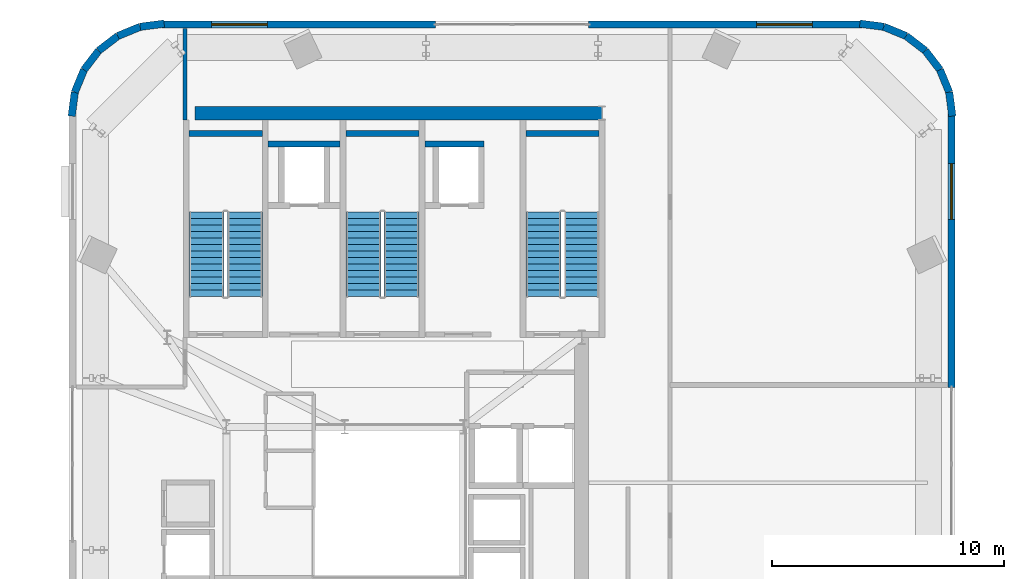
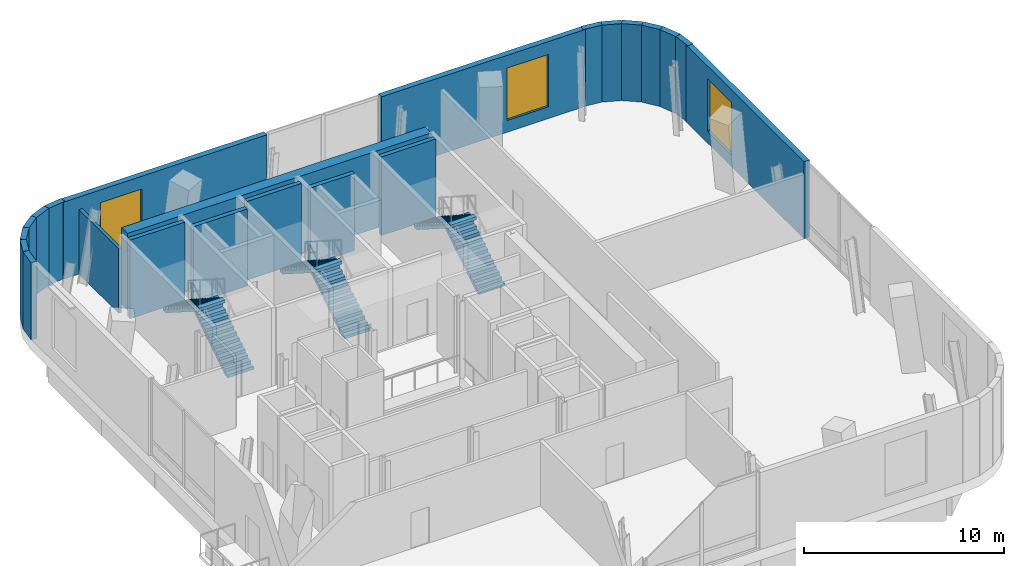
# One storey, part 8 of 11: 22 walls, 6 stair flights, 3 windows, 3 openings, 3 elements without a shape of their own.
"""IFC4 building model written with IfcOpenShell, lengths in metres."""

from ifc_helpers import new_model, si_unit, direction, frame, frame_2d, origin, place, context, subcontext, project, spatial, polyline, rectangle, outline, extrude, source, transform, mapped, material, layer, layer_set, type_object, element, fill, aggregate, save


model = new_model("IFC4")

# Units and contexts
model_context = context("Model", 3, precision=1e-05, world=origin(), true_north=direction((0.0, 1.0)))
body_context = subcontext(model_context, "Body", "Model", "MODEL_VIEW")
ifc_project = project(units=[si_unit("LENGTHUNIT", "METRE"), si_unit("AREAUNIT", "SQUARE_METRE"), si_unit("VOLUMEUNIT", "CUBIC_METRE"), si_unit("PLANEANGLEUNIT", "RADIAN"), si_unit("MASSUNIT", "GRAM", prefix="KILO")], contexts=[model_context])

# Site, building, storey
site_placement = place(None, origin())
site = spatial("IfcSite", under=ifc_project, at=site_placement, CompositionType="ELEMENT")
building_placement = place(site_placement, origin())
building = spatial("IfcBuilding", under=site, at=building_placement, Name="Vardaveli Station Tower", CompositionType="ELEMENT")
storey_placement = place(building_placement, frame((0.0, 0.0, 286.14990234375)))
storey = spatial("IfcBuildingStorey", under=building, at=storey_placement, Name="L73", CompositionType="ELEMENT", Elevation=286.14990234375)

# Wall
ifc_material_1 = material(Name="Concrete C50/60", Category="concrete")
ifc_layer_1 = layer(ifc_material_1, 0.60009765625, Name="Concrete C50/60")
ifc_layer_set_1 = layer_set([ifc_layer_1], Name="Concrete C50/60")
wall_type_1 = type_object("IfcWallType", Name="WAL-CORE-600", PredefinedType="SHEAR", material=ifc_layer_set_1)
shared_shape_1 = source(origin(), body_context, "Body", "SweptSolid", [
    extrude(rectangle(XDim=17.52001953125, YDim=0.60009765625, at=frame_2d((8.760009765625, 0.0))), origin(), (0.0, 0.0, 1.0), 4.7001953125),
])
wall_1_placement = place(storey_placement, frame((29.85009765625, 40.300048828125, 0.0), z_axis=(0.0, 0.0, 1.0), x_axis=(1.0, 0.0, 0.0)))
element("IfcWall", 1, at=wall_1_placement, inside=storey, type_object=wall_type_1, Name="SW-L73-NORTH", PredefinedType="SHEAR", context=body_context, shape_type="MappedRepresentation", body=[
    mapped(shared_shape_1, transform((0.0, 0.0, 0.0), scale=1.0)),
])

# Wall, opening, window
ifc_material_2 = material(Name="Precast concrete C45/55", Category="concrete")
ifc_layer_2 = layer(ifc_material_2, 0.320068359375, Name="Precast concrete C45/55")
ifc_layer_set_2 = layer_set([ifc_layer_2], Name="Precast concrete C45/55")
wall_type_2 = type_object("IfcWallType", Name="WAL-EXT-STONE-320", PredefinedType="SOLIDWALL", material=ifc_layer_set_2)
shared_shape_2 = source(origin(), body_context, "Body", "SweptSolid", [
    extrude(rectangle(XDim=11.77294921875, YDim=0.320068359375, at=frame_2d((5.886474609375, 0.0))), origin(), (0.0, 0.0, 1.0), 4.7001953125),
])
wall_2_placement = place(storey_placement, frame((58.572998046875, 44.1201171875, 0.0), z_axis=(0.0, 0.0, 1.0), x_axis=(-1.0, 0.0, 0.0)))
wall_2 = element("IfcWall", 2, at=wall_2_placement, inside=storey, type_object=wall_type_2, Name="EW-L73-N1", PredefinedType="SOLIDWALL", context=body_context, shape_type="MappedRepresentation", body=[
    mapped(shared_shape_2, transform((0.0, 0.0, 0.0), scale=1.0)),
])
shared_shape_3 = source(origin(), body_context, "Body", "SweptSolid", [
    extrude(rectangle(XDim=2.39990234375, YDim=3.199951171875, at=frame_2d((1.199951171875, 1.60009765625))), frame((0.0, 0.169921875, 0.0), z_axis=(0.0, -1.0, 0.0), x_axis=(1.0, 0.0, 0.0)), (0.0, 0.0, 1.0), 0.340087890625),
])
opening_1_placement = place(wall_2_placement, frame((2.1396484375, 0.0, 0.719970703125)))
opening_1 = element("IfcOpeningElement", 3, at=opening_1_placement, cuts=wall_2, Name="Opening W-06", PredefinedType="OPENING", context=body_context, shape_type="MappedRepresentation", body=[
    mapped(shared_shape_3, transform((0.0, 0.0, 0.0), scale=1.0)),
])
ifc_material_3 = material(Name="Low-iron tempered belvedere glass", Category="glass")
window_type = type_object("IfcWindowType", Name="WIN-OBS-2400x3200", PartitioningType="SINGLE_PANEL", PredefinedType="WINDOW", material=ifc_material_3)
shared_shape_4 = source(origin(), body_context, "Body", "SweptSolid", [
    extrude(rectangle(XDim=2.39990234375, YDim=3.199951171875, at=frame_2d((1.199951171875, 1.60009765625))), frame((0.0, 0.030029296875, 0.0), z_axis=(0.0, -1.0, 0.0), x_axis=(1.0, 0.0, 0.0)), (0.0, 0.0, 1.0), 0.06005859375),
])
window_1_placement = place(opening_1_placement, origin())
window_1 = element("IfcWindow", 4, at=window_1_placement, inside=storey, type_object=window_type, Name="WN-L73-N1", OverallHeight=3.199951171875, OverallWidth=2.39990234375, PartitioningType="SINGLE_PANEL", PredefinedType="WINDOW", context=body_context, shape_type="MappedRepresentation", body=[
    mapped(shared_shape_4, transform((0.0, 0.0, 0.0), scale=1.0)),
])
fill(opening_1, window_1)

wall_3_placement = place(storey_placement, frame((40.199951171875, 44.1201171875, 0.0), z_axis=(0.0, 0.0, 1.0), x_axis=(-1.0, 0.0, 0.0)))
wall_3 = element("IfcWall", 5, at=wall_3_placement, inside=storey, type_object=wall_type_2, Name="EW-L73-N2", PredefinedType="SOLIDWALL", context=body_context, shape_type="MappedRepresentation", body=[
    mapped(shared_shape_2, transform((0.0, 0.0, 0.0), scale=1.0)),
])
opening_2_placement = place(wall_3_placement, frame((7.2333984375, 0.0, 0.719970703125)))
opening_2 = element("IfcOpeningElement", 6, at=opening_2_placement, cuts=wall_3, Name="Opening W-06", PredefinedType="OPENING", context=body_context, shape_type="MappedRepresentation", body=[
    mapped(shared_shape_3, transform((0.0, 0.0, 0.0), scale=1.0)),
])
window_2_placement = place(opening_2_placement, origin())
window_2 = element("IfcWindow", 7, at=window_2_placement, inside=storey, type_object=window_type, Name="WN-L73-N2", OverallHeight=3.199951171875, OverallWidth=2.39990234375, PartitioningType="SINGLE_PANEL", PredefinedType="WINDOW", context=body_context, shape_type="MappedRepresentation", body=[
    mapped(shared_shape_4, transform((0.0, 0.0, 0.0), scale=1.0)),
])
fill(opening_2, window_2)

wall_4_placement = place(storey_placement, frame((62.419921875, 28.5, 0.0), z_axis=(0.0, 0.0, 1.0), x_axis=(0.0, 1.0, 0.0)))
wall_4 = element("IfcWall", 8, at=wall_4_placement, inside=storey, type_object=wall_type_2, Name="EW-L73-E2", PredefinedType="SOLIDWALL", context=body_context, shape_type="MappedRepresentation", body=[
    mapped(shared_shape_2, transform((0.0, 0.0, 0.0), scale=1.0)),
])
opening_3_placement = place(wall_4_placement, frame((7.2333984375, 0.0, 0.719970703125)))
opening_3 = element("IfcOpeningElement", 9, at=opening_3_placement, cuts=wall_4, Name="Opening W-06", PredefinedType="OPENING", context=body_context, shape_type="MappedRepresentation", body=[
    mapped(shared_shape_3, transform((0.0, 0.0, 0.0), scale=1.0)),
])
window_3_placement = place(opening_3_placement, origin())
window_3 = element("IfcWindow", 10, at=window_3_placement, inside=storey, type_object=window_type, Name="WN-L73-E2", OverallHeight=3.199951171875, OverallWidth=2.39990234375, PartitioningType="SINGLE_PANEL", PredefinedType="WINDOW", context=body_context, shape_type="MappedRepresentation", body=[
    mapped(shared_shape_4, transform((0.0, 0.0, 0.0), scale=1.0)),
])
fill(opening_3, window_3)

# Walls
shared_shape_5 = source(origin(), body_context, "Body", "SweptSolid", [
    extrude(rectangle(XDim=1.041015625, YDim=0.320068359375, at=frame_2d((0.5205078125, 0.0))), origin(), (0.0, 0.0, 1.0), 4.7001953125),
])
for number, where, z_axis, x_axis, name in (
    (11, (59.50634765625, 44.021484375, 0.0), (0.0, 0.0, 1.0), (-0.991798018025, 0.12781506735, 0.0), "EW-L73-CR3-6"),
    (12, (28.526123046875, 44.154541015625, 0.0), (0.0, 0.0, 1.0), (-0.991798018025, -0.12781506735, 0.0), "EW-L73-CR4-1"),
):
    element("IfcWall", number, at=place(storey_placement, frame(where, z_axis=z_axis, x_axis=x_axis)), inside=storey, type_object=wall_type_2, Name=name, PredefinedType="SOLIDWALL", context=body_context, shape_type="MappedRepresentation", body=[
        mapped(shared_shape_5, transform((0.0, 0.0, 0.0), scale=1.0)),
    ])
shared_shape_6 = source(origin(), body_context, "Body", "SweptSolid", [
    extrude(rectangle(XDim=1.0400390625, YDim=0.320068359375, at=frame_2d((0.52001953125, 0.0))), origin(), (0.0, 0.0, 1.0), 4.7001953125),
])
for number, where, z_axis, x_axis, name in (
    (13, (62.321533203125, 41.20654296875, 0.0), (0.0, 0.0, 1.0), (-0.380761612086, 0.92467323675, 0.0), "EW-L73-CR3-2"),
    (14, (60.468017578125, 43.62548828125, 0.0), (0.0, 0.0, 1.0), (-0.92467323675, 0.380761612086, 0.0), "EW-L73-CR3-5"),
    (15, (27.49365234375, 44.021484375, 0.0), (0.0, 0.0, 1.0), (-0.92467323675, -0.380761612086, 0.0), "EW-L73-CR4-2"),
    (16, (25.074462890625, 42.168212890625, 0.0), (0.0, 0.0, 1.0), (-0.380761612086, -0.92467323675, 0.0), "EW-L73-CR4-5"),
):
    element("IfcWall", number, at=place(storey_placement, frame(where, z_axis=z_axis, x_axis=x_axis)), inside=storey, type_object=wall_type_2, Name=name, PredefinedType="SOLIDWALL", context=body_context, shape_type="MappedRepresentation", body=[
        mapped(shared_shape_6, transform((0.0, 0.0, 0.0), scale=1.0)),
    ])
shared_shape_7 = source(origin(), body_context, "Body", "SweptSolid", [
    extrude(rectangle(XDim=1.03955078125, YDim=0.320068359375, at=frame_2d((0.519775390625, 0.0))), origin(), (0.0, 0.0, 1.0), 4.7001953125),
])
for number, where, z_axis, x_axis, name in (
    (17, (61.293212890625, 42.9931640625, 0.0), (0.0, 0.0, 1.0), (-0.793757528074, 0.608234318849, 0.0), "EW-L73-CR3-4"),
    (18, (26.531982421875, 43.62548828125, 0.0), (0.0, 0.0, 1.0), (-0.793757528074, -0.608234318849, 0.0), "EW-L73-CR4-3"),
):
    element("IfcWall", number, at=place(storey_placement, frame(where, z_axis=z_axis, x_axis=x_axis)), inside=storey, type_object=wall_type_2, Name=name, PredefinedType="SOLIDWALL", context=body_context, shape_type="MappedRepresentation", body=[
        mapped(shared_shape_7, transform((0.0, 0.0, 0.0), scale=1.0)),
    ])
shared_shape_8 = source(origin(), body_context, "Body", "SweptSolid", [
    extrude(rectangle(XDim=1.041259765625, YDim=0.320068359375, at=frame_2d((0.5205078125, 0.0))), origin(), (0.0, 0.0, 1.0), 4.7001953125),
])
for number, where, z_axis, x_axis, name in (
    (19, (62.454345703125, 40.173828125, 0.0), (0.0, 0.0, 1.0), (-0.127554694262, 0.991831538101, 0.0), "EW-L73-CR3-1"),
    (20, (24.678466796875, 41.20654296875, 0.0), (0.0, 0.0, 1.0), (-0.127554694262, -0.991831538101, 0.0), "EW-L73-CR4-6"),
):
    element("IfcWall", number, at=place(storey_placement, frame(where, z_axis=z_axis, x_axis=x_axis)), inside=storey, type_object=wall_type_2, Name=name, PredefinedType="SOLIDWALL", context=body_context, shape_type="MappedRepresentation", body=[
        mapped(shared_shape_8, transform((0.0, 0.0, 0.0), scale=1.0)),
    ])
shared_shape_9 = source(origin(), body_context, "Body", "SweptSolid", [
    extrude(rectangle(XDim=1.039306640625, YDim=0.320068359375, at=frame_2d((0.51953125, 0.0))), origin(), (0.0, 0.0, 1.0), 4.7001953125),
])
for number, where, z_axis, x_axis, name in (
    (21, (61.925537109375, 42.168212890625, 0.0), (0.0, 0.0, 1.0), (-0.608347712078, 0.79367062514, 0.0), "EW-L73-CR3-3"),
    (22, (25.706787109375, 42.9931640625, 0.0), (0.0, 0.0, 1.0), (-0.608347712078, -0.79367062514, 0.0), "EW-L73-CR4-4"),
):
    element("IfcWall", number, at=place(storey_placement, frame(where, z_axis=z_axis, x_axis=x_axis)), inside=storey, type_object=wall_type_2, Name=name, PredefinedType="SOLIDWALL", context=body_context, shape_type="MappedRepresentation", body=[
        mapped(shared_shape_9, transform((0.0, 0.0, 0.0), scale=1.0)),
    ])
ifc_material_4 = material(Name="Concrete C40/50", Category="concrete")
ifc_layer_3 = layer(ifc_material_4, 0.25, Name="Concrete C40/50")
ifc_layer_set_3 = layer_set([ifc_layer_3], Name="Concrete C40/50")
wall_type_3 = type_object("IfcWallType", Name="WAL-SHAFT-250", PredefinedType="SOLIDWALL", material=ifc_layer_set_3)
shared_shape_10 = source(origin(), body_context, "Body", "SweptSolid", [
    extrude(rectangle(XDim=3.14990234375, YDim=0.25, at=frame_2d((1.574951171875, 0.0))), origin(), (0.0, 0.0, 1.0), 4.800048828125),
])
for number, where, z_axis, x_axis, name in (
    (23, (29.60009765625, 39.425048828125, 0.0), (0.0, 0.0, 1.0), (1.0, 0.0, 0.0), "W-L73-ST-1N"),
    (24, (36.35009765625, 39.425048828125, 0.0), (0.0, 0.0, 1.0), (1.0, 0.0, 0.0), "W-L73-ST-2N"),
    (25, (44.10009765625, 39.425048828125, 0.0), (0.0, 0.0, 1.0), (1.0, 0.0, 0.0), "W-L73-ST-3N"),
):
    element("IfcWall", number, at=place(storey_placement, frame(where, z_axis=z_axis, x_axis=x_axis)), inside=storey, type_object=wall_type_3, Name=name, PredefinedType="SOLIDWALL", context=body_context, shape_type="MappedRepresentation", body=[
        mapped(shared_shape_10, transform((0.0, 0.0, 0.0), scale=1.0)),
    ])
shared_shape_11 = source(origin(), body_context, "Body", "SweptSolid", [
    extrude(rectangle(XDim=3.10009765625, YDim=0.25, at=frame_2d((1.550048828125, 0.0))), origin(), (0.0, 0.0, 1.0), 4.7001953125),
])
wall_5_placement = place(storey_placement, frame((33.0, 38.97509765625, 0.0), z_axis=(0.0, 0.0, 1.0), x_axis=(1.0, 0.0, 0.0)))
element("IfcWall", 26, at=wall_5_placement, inside=storey, type_object=wall_type_3, Name="SHW-FFL-01-L73-N", PredefinedType="SOLIDWALL", context=body_context, shape_type="MappedRepresentation", body=[
    mapped(shared_shape_11, transform((0.0, 0.0, 0.0), scale=1.0)),
])
shared_shape_12 = source(origin(), body_context, "Body", "SweptSolid", [
    extrude(rectangle(XDim=2.550048828125, YDim=0.25, at=frame_2d((1.27490234375, 0.0))), origin(), (0.0, 0.0, 1.0), 4.7001953125),
])
wall_6_placement = place(storey_placement, frame((39.75, 38.97509765625, 0.0), z_axis=(0.0, 0.0, 1.0), x_axis=(1.0, 0.0, 0.0)))
element("IfcWall", 27, at=wall_6_placement, inside=storey, type_object=wall_type_3, Name="SHW-FFL-02-L73-N", PredefinedType="SOLIDWALL", context=body_context, shape_type="MappedRepresentation", body=[
    mapped(shared_shape_12, transform((0.0, 0.0, 0.0), scale=1.0)),
])
ifc_material_5 = material(Name="Fire-rated gypsum stud partition")
ifc_layer_4 = layer(ifc_material_5, 0.179931640625, Name="Fire-rated gypsum stud partition")
ifc_layer_set_4 = layer_set([ifc_layer_4], Name="Fire-rated gypsum stud partition")
wall_type_4 = type_object("IfcWallType", Name="WAL-CORR-180", PredefinedType="PARTITIONING", material=ifc_layer_set_4)
shared_shape_13 = source(origin(), body_context, "Body", "SweptSolid", [
    extrude(rectangle(XDim=3.9580078125, YDim=0.179931640625, at=frame_2d((1.97900390625, 0.0))), origin(), (0.0, 0.0, 1.0), 3.942138671875),
])
wall_7_placement = place(storey_placement, frame((29.419921875, 40.0, 0.0), z_axis=(0.0, 0.0, 1.0), x_axis=(0.0, 1.0, 0.0)))
element("IfcWall", 28, at=wall_7_placement, inside=storey, type_object=wall_type_4, Name="W-L73-OBNW-E-P2", PredefinedType="PARTITIONING", context=body_context, shape_type="MappedRepresentation", body=[
    mapped(shared_shape_13, transform((0.0, 0.0, 0.0), scale=1.0)),
])

# Stair, stair flights
stair_type = type_object("IfcStairType", Name="STR-CORE-1500", PredefinedType="HALF_TURN_STAIR", material=ifc_material_4)
stair_1_placement = place(storey_placement, origin())
stair_1 = element("IfcStair", 29, at=stair_1_placement, inside=storey, type_object=stair_type, Name="L73 ST-1", PredefinedType="HALF_TURN_STAIR")
stair_flight_type = type_object("IfcStairFlightType", Name="SFL-CORE-1500", PredefinedType="STRAIGHT", material=ifc_material_4)
shared_shape_14 = source(origin(), body_context, "Body", "SweptSolid", [
    extrude(outline(polyline([(0.0, 0.0), (0.0, 0.178466796875), (0.280029296875, 0.178466796875), (0.280029296875, 0.357177734375), (0.56005859375, 0.357177734375), (0.56005859375, 0.53564453125), (0.840087890625, 0.53564453125), (0.840087890625, 0.71435546875), (1.1201171875, 0.71435546875), (1.1201171875, 0.892822265625), (1.39990234375, 0.892822265625), (1.39990234375, 1.071533203125), (1.679931640625, 1.071533203125), (1.679931640625, 1.25), (1.9599609375, 1.25), (1.9599609375, 1.428466796875), (2.239990234375, 1.428466796875), (2.239990234375, 1.607177734375), (2.52001953125, 1.607177734375), (2.52001953125, 1.78564453125), (2.800048828125, 1.78564453125), (2.800048828125, 1.96435546875), (3.080078125, 1.96435546875), (3.080078125, 2.142822265625), (3.360107421875, 2.142822265625), (3.360107421875, 2.321533203125), (3.639892578125, 2.321533203125), (3.639892578125, 2.5), (3.639892578125, 2.1435546875), (0.27880859375, 0.0), (0.0, 0.0)])), frame((0.0, 0.75, 0.0), z_axis=(0.0, -1.0, 0.0), x_axis=(1.0, 0.0, 0.0)), (0.0, 0.0, 1.0), 1.5),
])
stair_flight_1_placement = place(storey_placement, frame((32.0, 32.39990234375, 0.0), z_axis=(0.0, 0.0, 1.0), x_axis=(0.0, 1.0, 0.0)))
stair_flight_1 = element("IfcStairFlight", 30, at=stair_flight_1_placement, type_object=stair_flight_type, Name="ST-1 flight 1", NumberOfRisers=14, NumberOfTreads=13, PredefinedType="STRAIGHT", RiserHeight=0.178571429, TreadLength=0.28, context=body_context, shape_type="MappedRepresentation", body=[
    mapped(shared_shape_14, transform((0.0, 0.0, 0.0), scale=1.0)),
])
stair_flight_2_placement = place(storey_placement, frame((30.35009765625, 36.0400390625, 2.5), z_axis=(0.0, 0.0, 1.0), x_axis=(0.0, -1.0, 0.0)))
stair_flight_2 = element("IfcStairFlight", 31, at=stair_flight_2_placement, type_object=stair_flight_type, Name="ST-1 flight 2", NumberOfRisers=14, NumberOfTreads=13, PredefinedType="STRAIGHT", RiserHeight=0.178571429, TreadLength=0.28, context=body_context, shape_type="MappedRepresentation", body=[
    mapped(shared_shape_14, transform((0.0, 0.0, 0.0), scale=1.0)),
])
aggregate(stair_1, [stair_flight_1, stair_flight_2])

stair_2_placement = place(storey_placement, origin())
stair_2 = element("IfcStair", 32, at=stair_2_placement, inside=storey, type_object=stair_type, Name="L73 ST-2", PredefinedType="HALF_TURN_STAIR")
stair_flight_3_placement = place(storey_placement, frame((38.75, 32.39990234375, 0.0), z_axis=(0.0, 0.0, 1.0), x_axis=(0.0, 1.0, 0.0)))
stair_flight_3 = element("IfcStairFlight", 33, at=stair_flight_3_placement, type_object=stair_flight_type, Name="ST-2 flight 1", NumberOfRisers=14, NumberOfTreads=13, PredefinedType="STRAIGHT", RiserHeight=0.178571429, TreadLength=0.28, context=body_context, shape_type="MappedRepresentation", body=[
    mapped(shared_shape_14, transform((0.0, 0.0, 0.0), scale=1.0)),
])
stair_flight_4_placement = place(storey_placement, frame((37.10009765625, 36.0400390625, 2.5), z_axis=(0.0, 0.0, 1.0), x_axis=(0.0, -1.0, 0.0)))
stair_flight_4 = element("IfcStairFlight", 34, at=stair_flight_4_placement, type_object=stair_flight_type, Name="ST-2 flight 2", NumberOfRisers=14, NumberOfTreads=13, PredefinedType="STRAIGHT", RiserHeight=0.178571429, TreadLength=0.28, context=body_context, shape_type="MappedRepresentation", body=[
    mapped(shared_shape_14, transform((0.0, 0.0, 0.0), scale=1.0)),
])
aggregate(stair_2, [stair_flight_3, stair_flight_4])

stair_3_placement = place(storey_placement, origin())
stair_3 = element("IfcStair", 35, at=stair_3_placement, inside=storey, type_object=stair_type, Name="L73 ST-3", PredefinedType="HALF_TURN_STAIR")
stair_flight_5_placement = place(storey_placement, frame((46.5, 32.39990234375, 0.0), z_axis=(0.0, 0.0, 1.0), x_axis=(0.0, 1.0, 0.0)))
stair_flight_5 = element("IfcStairFlight", 36, at=stair_flight_5_placement, type_object=stair_flight_type, Name="ST-3 flight 1", NumberOfRisers=14, NumberOfTreads=13, PredefinedType="STRAIGHT", RiserHeight=0.178571429, TreadLength=0.28, context=body_context, shape_type="MappedRepresentation", body=[
    mapped(shared_shape_14, transform((0.0, 0.0, 0.0), scale=1.0)),
])
stair_flight_6_placement = place(storey_placement, frame((44.85009765625, 36.0400390625, 2.5), z_axis=(0.0, 0.0, 1.0), x_axis=(0.0, -1.0, 0.0)))
stair_flight_6 = element("IfcStairFlight", 37, at=stair_flight_6_placement, type_object=stair_flight_type, Name="ST-3 flight 2", NumberOfRisers=14, NumberOfTreads=13, PredefinedType="STRAIGHT", RiserHeight=0.178571429, TreadLength=0.28, context=body_context, shape_type="MappedRepresentation", body=[
    mapped(shared_shape_14, transform((0.0, 0.0, 0.0), scale=1.0)),
])
aggregate(stair_3, [stair_flight_5, stair_flight_6])

save(model, "model.ifc")
